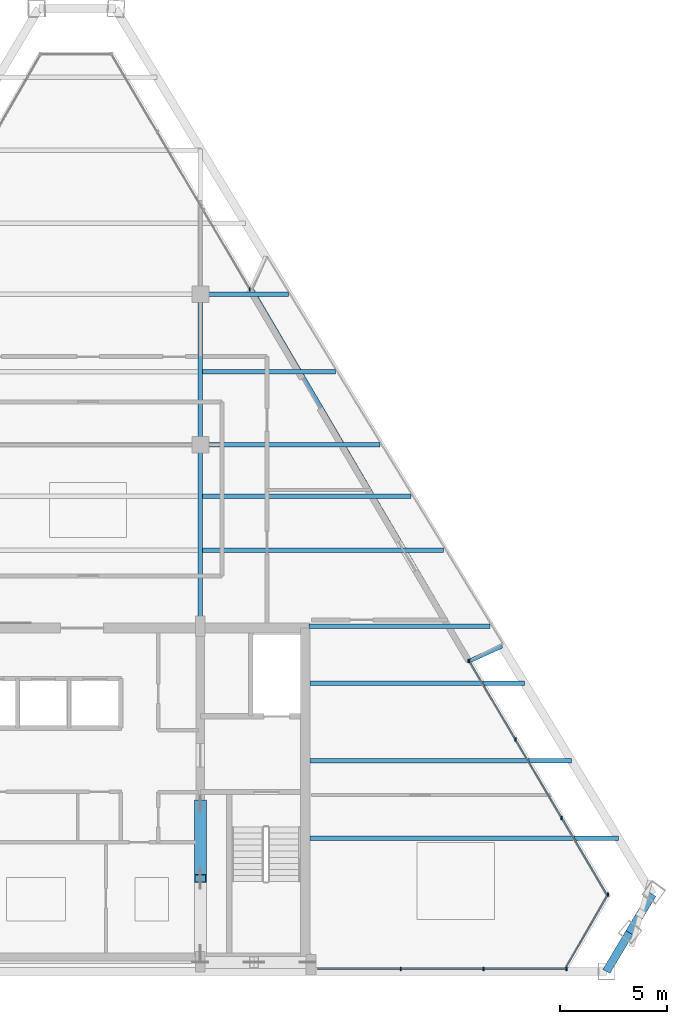
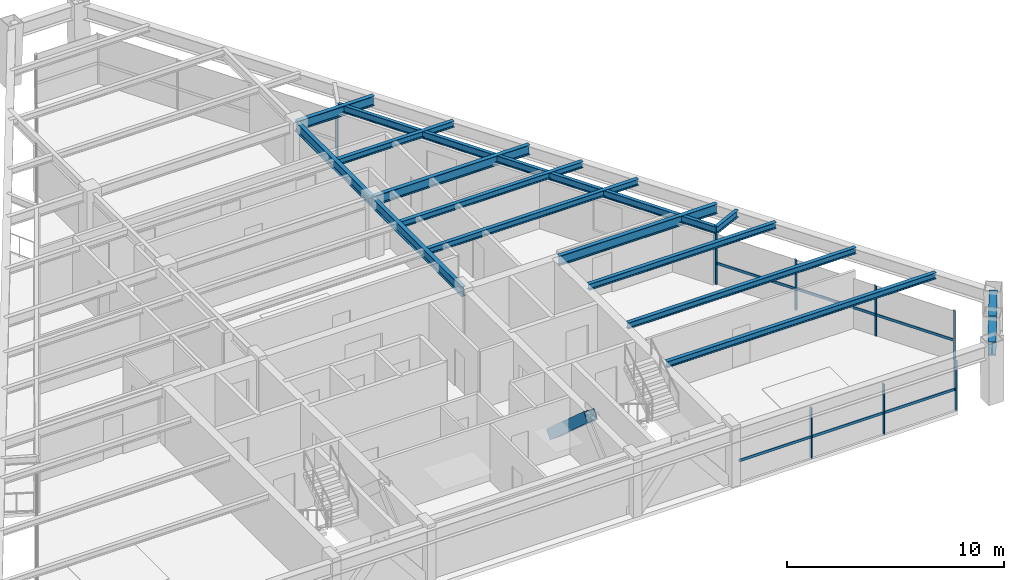
# One storey, part 5 of 13: 17 members, 15 beams, 4 elements without a shape of their own.
"""IFC4 building model written with IfcOpenShell, lengths in metres."""

from ifc_helpers import new_model, si_unit, direction, frame, origin, origin_2d, place, context, subcontext, project, spatial, rectangle, hollow_rectangle, i_section, extrude, source, transform, mapped, material, material_profile, profile_set, type_object, type_shapes, element, aggregate, save


model = new_model("IFC4")

# Units and contexts
model_context = context("Model", 3, precision=1e-05, world=origin(), true_north=direction((0.0, 1.0)))
body_context = subcontext(model_context, "Body", "Model", "MODEL_VIEW")
ifc_project = project(units=[si_unit("LENGTHUNIT", "METRE"), si_unit("AREAUNIT", "SQUARE_METRE"), si_unit("VOLUMEUNIT", "CUBIC_METRE"), si_unit("PLANEANGLEUNIT", "RADIAN"), si_unit("MASSUNIT", "GRAM", prefix="KILO")], contexts=[model_context])

# Site, building, storey
site_placement = place(None, origin())
site = spatial("IfcSite", under=ifc_project, at=site_placement, CompositionType="ELEMENT")
building_placement = place(site_placement, origin())
building = spatial("IfcBuilding", under=site, at=building_placement, Name="Varnakhor Terracotta Tower", CompositionType="ELEMENT")
storey_placement = place(building_placement, frame((0.0, 0.0, 279.89990234375)))
storey = spatial("IfcBuildingStorey", under=building, at=storey_placement, Name="L73", CompositionType="ELEMENT", Elevation=279.89990234375)

# Beams
ifc_material_1 = material(Name="Steel S355", Category="steel")
ifc_material_profile_1 = material_profile(ifc_material_1, i_section(OverallWidth=0.214111328125, OverallDepth=0.549072265625, WebThickness=0.014892578125, FlangeThickness=0.02392578125, FilletRadius=0.01806640625, at=origin_2d()), Name="W21X93")
ifc_profile_set_1 = profile_set([ifc_material_profile_1], Name="Steel S355")
beam_type_1 = type_object("IfcBeamType", Name="BM-W21X93", PredefinedType="BEAM", material=ifc_profile_set_1)
shared_shape_1 = source(origin(), body_context, "Body", "SweptSolid", [
    extrude(i_section(OverallWidth=0.214111328125, OverallDepth=0.549072265625, WebThickness=0.014892578125, FlangeThickness=0.02392578125, FilletRadius=0.01806640625, at=origin_2d()), origin(), (0.0, 0.0, 1.0), 8.449951171875),
])
type_shapes(beam_type_1, [shared_shape_1])
beam_1_placement = place(storey_placement, frame((5.5, 16.050048828125, 2.965576171875), z_axis=(0.0, 1.0, 0.0), x_axis=(-1.0, 0.0, 0.0)))
element("IfcBeam", 1, at=beam_1_placement, inside=storey, type_object=beam_type_1, Name="L73 Primary Girder NS1-E", PredefinedType="BEAM", context=body_context, shape_type="MappedRepresentation", body=[
    mapped(shared_shape_1, transform((0.0, 0.0, 0.0), scale=1.0)),
])
shared_shape_2 = source(origin(), body_context, "Body", "SweptSolid", [
    extrude(i_section(OverallWidth=0.214111328125, OverallDepth=0.549072265625, WebThickness=0.014892578125, FlangeThickness=0.02392578125, FilletRadius=0.01806640625, at=origin_2d()), origin(), (0.0, 0.0, 1.0), 7.0),
])
beam_2_placement = place(storey_placement, frame((5.5, 24.5, 2.965576171875), z_axis=(0.0, 1.0, 0.0), x_axis=(-1.0, 0.0, 0.0)))
element("IfcBeam", 2, at=beam_2_placement, inside=storey, type_object=beam_type_1, Name="L73 Primary Girder NS2-E", PredefinedType="BEAM", context=body_context, shape_type="MappedRepresentation", body=[
    mapped(shared_shape_2, transform((0.0, 0.0, 0.0), scale=1.0)),
])

# Member
ifc_material_profile_2 = material_profile(ifc_material_1, hollow_rectangle(XDim=0.550048828125, YDim=0.550048828125, WallThickness=0.034912109375, at=origin_2d()), Name="HSS550X550X35")
ifc_profile_set_2 = profile_set([ifc_material_profile_2], Name="Steel S355")
member_type_1 = type_object("IfcMemberType", Name="MBR-MEGA-550", PredefinedType="BRACE", material=ifc_profile_set_2)
shared_shape_3 = source(origin(), body_context, "Body", "SweptSolid", [
    extrude(hollow_rectangle(XDim=0.550048828125, YDim=0.550048828125, WallThickness=0.034912109375, at=origin_2d()), origin(), (0.0, 0.0, 1.0), 4.650146484375),
])
member_1_placement = place(storey_placement, frame((5.5, 7.800048828125, 0.0), z_axis=(0.0, -0.74729054724, 0.664497432655), x_axis=(1.0, 0.0, 0.0)))
element("IfcMember", 3, at=member_1_placement, inside=storey, type_object=member_type_1, Name="L73 Core Coupled Brace CWEB", PredefinedType="BRACE", context=body_context, shape_type="MappedRepresentation", body=[
    mapped(shared_shape_3, transform((0.0, 0.0, 0.0), scale=1.0)),
])

# Beams
ifc_material_profile_3 = material_profile(ifc_material_1, i_section(OverallWidth=0.381103515625, OverallDepth=0.77294921875, WebThickness=0.01708984375, FlangeThickness=0.027099609375, FilletRadius=0.01806640625, at=origin_2d()), Name="W30X173")
ifc_profile_set_3 = profile_set([ifc_material_profile_3], Name="Steel S355")
beam_type_2 = type_object("IfcBeamType", Name="BM-W30X173", PredefinedType="BEAM", material=ifc_profile_set_3)
shared_shape_4 = source(origin(), body_context, "Body", "SweptSolid", [
    extrude(i_section(OverallWidth=0.381103515625, OverallDepth=0.77294921875, WebThickness=0.01708984375, FlangeThickness=0.027099609375, FilletRadius=0.01806640625, at=origin_2d()), origin(), (0.0, 0.0, 1.0), 2.091064453125),
])
beam_3_placement = place(storey_placement, frame((24.388916015625, 0.0, 2.853515625), z_axis=(0.511986679874, 0.85899338742, 0.0), x_axis=(-0.85899338742, 0.511986679874, 0.0)))
element("IfcBeam", 4, at=beam_3_placement, inside=storey, type_object=beam_type_2, Name="L73 Perimeter Spandrel 2", PredefinedType="BEAM", context=body_context, shape_type="MappedRepresentation", body=[
    mapped(shared_shape_4, transform((0.0, 0.0, 0.0), scale=1.0)),
])
shared_shape_5 = source(origin(), body_context, "Body", "SweptSolid", [
    extrude(i_section(OverallWidth=0.381103515625, OverallDepth=0.77294921875, WebThickness=0.01708984375, FlangeThickness=0.027099609375, FilletRadius=0.01806640625, at=origin_2d()), origin(), (0.0, 0.0, 1.0), 2.09130859375),
])
beam_4_placement = place(storey_placement, frame((25.45947265625, 1.796142578125, 2.853515625), z_axis=(0.511935334452, 0.859023988803, 0.0), x_axis=(-0.859023988803, 0.511935334452, 0.0)))
element("IfcBeam", 5, at=beam_4_placement, inside=storey, type_object=beam_type_2, Name="L73 Perimeter Spandrel 3", PredefinedType="BEAM", context=body_context, shape_type="MappedRepresentation", body=[
    mapped(shared_shape_5, transform((0.0, 0.0, 0.0), scale=1.0)),
])
ifc_material_profile_4 = material_profile(ifc_material_1, i_section(OverallWidth=0.179931640625, OverallDepth=0.39990234375, WebThickness=0.008544921875, FlangeThickness=0.013427734375, FilletRadius=0.01806640625, at=origin_2d()), Name="IPE400")
ifc_profile_set_4 = profile_set([ifc_material_profile_4], Name="Steel S355")
beam_type_3 = type_object("IfcBeamType", Name="JST-IPE400", PredefinedType="JOIST", material=ifc_profile_set_4)
shared_shape_6 = source(origin(), body_context, "Body", "SweptSolid", [
    extrude(i_section(OverallWidth=0.179931640625, OverallDepth=0.39990234375, WebThickness=0.008544921875, FlangeThickness=0.013427734375, FilletRadius=0.01806640625, at=origin_2d()), origin(), (0.0, 0.0, 1.0), 20.071044921875),
])
beam_5_placement = place(storey_placement, frame((18.031005859375, 14.446533203125, 3.0400390625), z_axis=(-0.506123077616, 0.862461263075, 0.0), x_axis=(-0.862461263075, -0.506123077616, 0.0)))
element("IfcBeam", 6, at=beam_5_placement, inside=storey, type_object=beam_type_3, Name="L73 Loggia Edge Beam 1", PredefinedType="JOIST", context=body_context, shape_type="MappedRepresentation", body=[
    mapped(shared_shape_6, transform((0.0, 0.0, 0.0), scale=1.0)),
])
shared_shape_7 = source(origin(), body_context, "Body", "SweptSolid", [
    extrude(i_section(OverallWidth=0.214111328125, OverallDepth=0.549072265625, WebThickness=0.014892578125, FlangeThickness=0.02392578125, FilletRadius=0.01806640625, at=origin_2d()), origin(), (0.0, 0.0, 1.0), 8.424560546875),
])
beam_6_placement = place(storey_placement, frame((10.550048828125, 16.050048828125, 2.965576171875), z_axis=(1.0, 0.0, 0.0), x_axis=(0.0, 1.0, 0.0)))
element("IfcBeam", 7, at=beam_6_placement, inside=storey, type_object=beam_type_1, Name="L73 Wing Girder E", PredefinedType="BEAM", context=body_context, shape_type="MappedRepresentation", body=[
    mapped(shared_shape_7, transform((0.0, 0.0, 0.0), scale=1.0)),
])
shared_shape_8 = source(origin(), body_context, "Body", "SweptSolid", [
    extrude(i_section(OverallWidth=0.214111328125, OverallDepth=0.549072265625, WebThickness=0.014892578125, FlangeThickness=0.02392578125, FilletRadius=0.01806640625, at=origin_2d()), origin(), (0.0, 0.0, 1.0), 8.349609375),
])
beam_7_placement = place(storey_placement, frame((5.5, 24.5, 2.965576171875), z_axis=(1.0, 0.0, 0.0), x_axis=(0.0, 1.0, 0.0)))
element("IfcBeam", 8, at=beam_7_placement, inside=storey, type_object=beam_type_1, Name="L73 Primary Girder EW2-3", PredefinedType="BEAM", context=body_context, shape_type="MappedRepresentation", body=[
    mapped(shared_shape_8, transform((0.0, 0.0, 0.0), scale=1.0)),
])
shared_shape_9 = source(origin(), body_context, "Body", "SweptSolid", [
    extrude(i_section(OverallWidth=0.214111328125, OverallDepth=0.549072265625, WebThickness=0.014892578125, FlangeThickness=0.02392578125, FilletRadius=0.01806640625, at=origin_2d()), origin(), (0.0, 0.0, 1.0), 4.104248046875),
])
beam_8_placement = place(storey_placement, frame((5.5, 31.5, 2.965576171875), z_axis=(1.0, 0.0, 0.0), x_axis=(0.0, 1.0, 0.0)))
element("IfcBeam", 9, at=beam_8_placement, inside=storey, type_object=beam_type_1, Name="L73 Primary Girder EW3-3", PredefinedType="BEAM", context=body_context, shape_type="MappedRepresentation", body=[
    mapped(shared_shape_9, transform((0.0, 0.0, 0.0), scale=1.0)),
])
ifc_material_profile_5 = material_profile(ifc_material_1, i_section(OverallWidth=0.202880859375, OverallDepth=0.346923828125, WebThickness=0.0078125, FlangeThickness=0.013427734375, FilletRadius=0.01806640625, at=origin_2d()), Name="W14X43")
ifc_profile_set_5 = profile_set([ifc_material_profile_5], Name="Steel S355")
beam_type_4 = type_object("IfcBeamType", Name="JST-W14X43", PredefinedType="JOIST", material=ifc_profile_set_5)
shared_shape_10 = source(origin(), body_context, "Body", "SweptSolid", [
    extrude(i_section(OverallWidth=0.202880859375, OverallDepth=0.346923828125, WebThickness=0.0078125, FlangeThickness=0.013427734375, FilletRadius=0.01806640625, at=origin_2d()), origin(), (0.0, 0.0, 1.0), 14.348388671875),
])
beam_9_placement = place(storey_placement, frame((10.60009765625, 6.199951171875, 3.066650390625), z_axis=(1.0, 0.0, 0.0), x_axis=(0.0, 1.0, 0.0)))
element("IfcBeam", 10, at=beam_9_placement, inside=storey, type_object=beam_type_4, Name="L73 Floor Joist E1", PredefinedType="JOIST", context=body_context, shape_type="MappedRepresentation", body=[
    mapped(shared_shape_10, transform((0.0, 0.0, 0.0), scale=1.0)),
])
shared_shape_11 = source(origin(), body_context, "Body", "SweptSolid", [
    extrude(i_section(OverallWidth=0.202880859375, OverallDepth=0.346923828125, WebThickness=0.0078125, FlangeThickness=0.013427734375, FilletRadius=0.01806640625, at=origin_2d()), origin(), (0.0, 0.0, 1.0), 12.1650390625),
])
beam_10_placement = place(storey_placement, frame((10.60009765625, 9.800048828125, 3.066650390625), z_axis=(1.0, 0.0, 0.0), x_axis=(0.0, 1.0, 0.0)))
element("IfcBeam", 11, at=beam_10_placement, inside=storey, type_object=beam_type_4, Name="L73 Floor Joist E2", PredefinedType="JOIST", context=body_context, shape_type="MappedRepresentation", body=[
    mapped(shared_shape_11, transform((0.0, 0.0, 0.0), scale=1.0)),
])
shared_shape_12 = source(origin(), body_context, "Body", "SweptSolid", [
    extrude(i_section(OverallWidth=0.202880859375, OverallDepth=0.346923828125, WebThickness=0.0078125, FlangeThickness=0.013427734375, FilletRadius=0.01806640625, at=origin_2d()), origin(), (0.0, 0.0, 1.0), 9.981689453125),
])
beam_11_placement = place(storey_placement, frame((10.60009765625, 13.39990234375, 3.066650390625), z_axis=(1.0, 0.0, 0.0), x_axis=(0.0, 1.0, 0.0)))
element("IfcBeam", 12, at=beam_11_placement, inside=storey, type_object=beam_type_4, Name="L73 Floor Joist E3", PredefinedType="JOIST", context=body_context, shape_type="MappedRepresentation", body=[
    mapped(shared_shape_12, transform((0.0, 0.0, 0.0), scale=1.0)),
])
shared_shape_13 = source(origin(), body_context, "Body", "SweptSolid", [
    extrude(i_section(OverallWidth=0.202880859375, OverallDepth=0.346923828125, WebThickness=0.0078125, FlangeThickness=0.013427734375, FilletRadius=0.01806640625, at=origin_2d()), origin(), (0.0, 0.0, 1.0), 11.218505859375),
])
beam_12_placement = place(storey_placement, frame((5.60302734375, 19.60009765625, 3.066650390625), z_axis=(1.0, 0.0, 0.0), x_axis=(0.0, 1.0, 0.0)))
element("IfcBeam", 13, at=beam_12_placement, inside=storey, type_object=beam_type_4, Name="L73 Composite Floor Joist 4-3", PredefinedType="JOIST", context=body_context, shape_type="MappedRepresentation", body=[
    mapped(shared_shape_13, transform((0.0, 0.0, 0.0), scale=1.0)),
])
shared_shape_14 = source(origin(), body_context, "Body", "SweptSolid", [
    extrude(i_section(OverallWidth=0.202880859375, OverallDepth=0.346923828125, WebThickness=0.0078125, FlangeThickness=0.013427734375, FilletRadius=0.01806640625, at=origin_2d()), origin(), (0.0, 0.0, 1.0), 9.702392578125),
])
beam_13_placement = place(storey_placement, frame((5.60302734375, 22.10009765625, 3.066650390625), z_axis=(1.0, 0.0, 0.0), x_axis=(0.0, 1.0, 0.0)))
element("IfcBeam", 14, at=beam_13_placement, inside=storey, type_object=beam_type_4, Name="L73 Composite Floor Joist 5-3", PredefinedType="JOIST", context=body_context, shape_type="MappedRepresentation", body=[
    mapped(shared_shape_14, transform((0.0, 0.0, 0.0), scale=1.0)),
])
shared_shape_15 = source(origin(), body_context, "Body", "SweptSolid", [
    extrude(i_section(OverallWidth=0.202880859375, OverallDepth=0.346923828125, WebThickness=0.0078125, FlangeThickness=0.013427734375, FilletRadius=0.01806640625, at=origin_2d()), origin(), (0.0, 0.0, 1.0), 6.1845703125),
])
beam_14_placement = place(storey_placement, frame((5.60302734375, 27.89990234375, 3.066650390625), z_axis=(1.0, 0.0, 0.0), x_axis=(0.0, 1.0, 0.0)))
element("IfcBeam", 15, at=beam_14_placement, inside=storey, type_object=beam_type_4, Name="L73 Composite Floor Joist 6-3", PredefinedType="JOIST", context=body_context, shape_type="MappedRepresentation", body=[
    mapped(shared_shape_15, transform((0.0, 0.0, 0.0), scale=1.0)),
])

# Curtain wall, members
ifc_material_2 = material(Name="Anodised Aluminium Curtain Wall System", Category="aluminium")
curtain_wall_type = type_object("IfcCurtainWallType", Name="CW-SYS-HOTEL-LOGGIA", PredefinedType="NOTDEFINED", material=ifc_material_2)
curtain_wall_1_placement = place(storey_placement, origin())
curtain_wall_1 = element("IfcCurtainWall", 16, at=curtain_wall_1_placement, inside=storey, type_object=curtain_wall_type, Name="L73 E Facet Curtain Wall 2", PredefinedType="NOTDEFINED")
ifc_material_3 = material(Name="Anodised Aluminium 6063-T6", Category="aluminium")
ifc_material_profile_6 = material_profile(ifc_material_3, rectangle(XDim=0.06494140625, YDim=0.159912109375, at=origin_2d()), Name="ALU MULLION 65x160")
ifc_profile_set_6 = profile_set([ifc_material_profile_6], Name="Anodised Aluminium 6063-T6")
member_type_2 = type_object("IfcMemberType", Name="CWM-04", PredefinedType="MULLION", material=ifc_profile_set_6)
shared_shape_16 = source(origin(), body_context, "Body", "SweptSolid", [
    extrude(rectangle(XDim=0.06494140625, YDim=0.159912109375, at=origin_2d()), origin(), (0.0, 0.0, 1.0), 2.820068359375),
])
type_shapes(member_type_2, [shared_shape_16])
member_2_placement = place(storey_placement, frame((18.010009765625, 14.434326171875, 0.0), z_axis=(0.0, 0.0, 1.0), x_axis=(1.0, 0.0, 0.0)))
member_2 = element("IfcMember", 17, at=member_2_placement, type_object=member_type_2, Name="L73 E Facet Curtain Wall 2 Mullion 1", PredefinedType="MULLION", context=body_context, shape_type="MappedRepresentation", body=[
    mapped(shared_shape_16, transform((0.0, 0.0, 0.0), scale=1.0)),
])
member_3_placement = place(storey_placement, frame((20.15966796875, 10.7890625, 0.0), z_axis=(0.0, 0.0, 1.0), x_axis=(1.0, 0.0, 0.0)))
member_3 = element("IfcMember", 18, at=member_3_placement, type_object=member_type_2, Name="L73 E Facet Curtain Wall 2 Mullion 2", PredefinedType="MULLION", context=body_context, shape_type="MappedRepresentation", body=[
    mapped(shared_shape_16, transform((0.0, 0.0, 0.0), scale=1.0)),
])
member_4_placement = place(storey_placement, frame((22.30908203125, 7.143798828125, 0.0), z_axis=(0.0, 0.0, 1.0), x_axis=(1.0, 0.0, 0.0)))
member_4 = element("IfcMember", 19, at=member_4_placement, type_object=member_type_2, Name="L73 E Facet Curtain Wall 2 Mullion 3", PredefinedType="MULLION", context=body_context, shape_type="MappedRepresentation", body=[
    mapped(shared_shape_16, transform((0.0, 0.0, 0.0), scale=1.0)),
])

# Curtain wall, member
curtain_wall_2_placement = place(storey_placement, origin())
curtain_wall_2 = element("IfcCurtainWall", 20, at=curtain_wall_2_placement, inside=storey, type_object=curtain_wall_type, Name="L73 E Facet Curtain Wall 1", PredefinedType="NOTDEFINED")
member_5_placement = place(storey_placement, frame((7.79638671875, 31.716796875, 0.0), z_axis=(0.0, 0.0, 1.0), x_axis=(1.0, 0.0, 0.0)))
member_5 = element("IfcMember", 21, at=member_5_placement, type_object=member_type_2, Name="L73 E Loggia Jamb Closure Mullion 1", PredefinedType="MULLION", context=body_context, shape_type="MappedRepresentation", body=[
    mapped(shared_shape_16, transform((0.0, 0.0, 0.0), scale=1.0)),
])
aggregate(curtain_wall_2, [member_5])

# Member
member_6_placement = place(storey_placement, frame((17.977783203125, 14.4501953125, 0.0), z_axis=(0.0, 0.0, 1.0), x_axis=(1.0, 0.0, 0.0)))
member_6 = element("IfcMember", 22, at=member_6_placement, type_object=member_type_2, Name="L73 E Loggia Jamb Closure Mullion 2", PredefinedType="MULLION", context=body_context, shape_type="MappedRepresentation", body=[
    mapped(shared_shape_16, transform((0.0, 0.0, 0.0), scale=1.0)),
])

# Curtain wall, member
curtain_wall_3_placement = place(storey_placement, origin())
curtain_wall_3 = element("IfcCurtainWall", 23, at=curtain_wall_3_placement, inside=storey, type_object=curtain_wall_type, Name="L73 Facet Curtain Wall 4", PredefinedType="NOTDEFINED")
member_7_placement = place(storey_placement, frame((24.458251953125, 3.5673828125, 0.0), z_axis=(0.0, 0.0, 1.0), x_axis=(1.0, 0.0, 0.0)))
member_7 = element("IfcMember", 24, at=member_7_placement, type_object=member_type_2, Name="L73 Facet Curtain Wall 4 Mullion 1", PredefinedType="MULLION", context=body_context, shape_type="MappedRepresentation", body=[
    mapped(shared_shape_16, transform((0.0, 0.0, 0.0), scale=1.0)),
])

# Curtain wall, members
curtain_wall_4_placement = place(storey_placement, origin())
curtain_wall_4 = element("IfcCurtainWall", 25, at=curtain_wall_4_placement, inside=storey, type_object=curtain_wall_type, Name="L73 South Wing Curtain Wall SSE", PredefinedType="NOTDEFINED")
member_8_placement = place(storey_placement, frame((22.52978515625, 0.1201171875, 0.0), z_axis=(0.0, 0.0, 1.0), x_axis=(1.0, 0.0, 0.0)))
member_8 = element("IfcMember", 26, at=member_8_placement, type_object=member_type_2, Name="L73 South Wing Curtain Wall SSE Mullion 1", PredefinedType="MULLION", context=body_context, shape_type="MappedRepresentation", body=[
    mapped(shared_shape_16, transform((0.0, 0.0, 0.0), scale=1.0)),
])
member_9_placement = place(storey_placement, frame((18.676513671875, 0.1201171875, 0.0), z_axis=(0.0, 0.0, 1.0), x_axis=(1.0, 0.0, 0.0)))
member_9 = element("IfcMember", 27, at=member_9_placement, type_object=member_type_2, Name="L73 South Wing Curtain Wall SSE Mullion 2", PredefinedType="MULLION", context=body_context, shape_type="MappedRepresentation", body=[
    mapped(shared_shape_16, transform((0.0, 0.0, 0.0), scale=1.0)),
])
member_10_placement = place(storey_placement, frame((14.8232421875, 0.1201171875, 0.0), z_axis=(0.0, 0.0, 1.0), x_axis=(1.0, 0.0, 0.0)))
member_10 = element("IfcMember", 28, at=member_10_placement, type_object=member_type_2, Name="L73 South Wing Curtain Wall SSE Mullion 3", PredefinedType="MULLION", context=body_context, shape_type="MappedRepresentation", body=[
    mapped(shared_shape_16, transform((0.0, 0.0, 0.0), scale=1.0)),
])

# Member
ifc_material_profile_7 = material_profile(ifc_material_3, rectangle(XDim=0.06494140625, YDim=0.14501953125, at=origin_2d()), Name="ALU TRANSOM 65x145")
ifc_profile_set_7 = profile_set([ifc_material_profile_7], Name="Anodised Aluminium 6063-T6")
member_type_3 = type_object("IfcMemberType", Name="CWT-04", PredefinedType="USERDEFINED", material=ifc_profile_set_7)
shared_shape_17 = source(origin(), body_context, "Body", "SweptSolid", [
    extrude(rectangle(XDim=0.06494140625, YDim=0.14501953125, at=origin_2d()), origin(), (0.0, 0.0, 1.0), 4.231689453125),
])
member_11_placement = place(storey_placement, frame((20.15966796875, 10.7890625, 1.1845703125), z_axis=(0.507922457705, -0.861402796001, 0.0), x_axis=(0.861402796001, 0.507922457705, 0.0)))
member_11 = element("IfcMember", 29, at=member_11_placement, type_object=member_type_3, Name="L73 E Facet Curtain Wall 2 Transom 2", ObjectType="TRANSOM", PredefinedType="USERDEFINED", context=body_context, shape_type="MappedRepresentation", body=[
    mapped(shared_shape_17, transform((0.0, 0.0, 0.0), scale=1.0)),
])

shared_shape_18 = source(origin(), body_context, "Body", "SweptSolid", [
    extrude(rectangle(XDim=0.06494140625, YDim=0.14501953125, at=origin_2d()), origin(), (0.0, 0.0, 1.0), 4.23193359375),
])
member_12_placement = place(storey_placement, frame((18.010009765625, 14.434326171875, 1.1845703125), z_axis=(0.507965264316, -0.861377553834, 0.0), x_axis=(0.861377553834, 0.507965264316, 0.0)))
member_12 = element("IfcMember", 30, at=member_12_placement, type_object=member_type_3, Name="L73 E Facet Curtain Wall 2 Transom 1", ObjectType="TRANSOM", PredefinedType="USERDEFINED", context=body_context, shape_type="MappedRepresentation", body=[
    mapped(shared_shape_18, transform((0.0, 0.0, 0.0), scale=1.0)),
])

member_13_placement = place(storey_placement, frame((22.30908203125, 7.143798828125, 1.1845703125), z_axis=(0.507897216898, -0.861417678637, 0.0), x_axis=(0.861417678637, 0.507897216898, 0.0)))
member_13 = element("IfcMember", 31, at=member_13_placement, type_object=member_type_3, Name="L73 E Facet Curtain Wall 2 Transom 3", ObjectType="TRANSOM", PredefinedType="USERDEFINED", context=body_context, shape_type="MappedRepresentation", body=[
    mapped(shared_shape_18, transform((0.0, 0.0, 0.0), scale=1.0)),
])

aggregate(curtain_wall_1, [member_2, member_12, member_3, member_11, member_4, member_13, member_6])

shared_shape_19 = source(origin(), body_context, "Body", "SweptSolid", [
    extrude(rectangle(XDim=0.06494140625, YDim=0.14501953125, at=origin_2d()), origin(), (0.0, 0.0, 1.0), 4.018798828125),
])
member_14_placement = place(storey_placement, frame((24.458251953125, 3.5673828125, 1.1845703125), z_axis=(-0.499543632816, -0.866288727223, 0.0), x_axis=(0.866288727223, -0.499543632816, 0.0)))
member_14 = element("IfcMember", 32, at=member_14_placement, type_object=member_type_3, Name="L73 Facet Curtain Wall 4 Transom 1", ObjectType="TRANSOM", PredefinedType="USERDEFINED", context=body_context, shape_type="MappedRepresentation", body=[
    mapped(shared_shape_19, transform((0.0, 0.0, 0.0), scale=1.0)),
])

aggregate(curtain_wall_3, [member_7, member_14])

shared_shape_20 = source(origin(), body_context, "Body", "SweptSolid", [
    extrude(rectangle(XDim=0.06494140625, YDim=0.14501953125, at=origin_2d()), origin(), (0.0, 0.0, 1.0), 3.853271484375),
])
member_15_placement = place(storey_placement, frame((22.52978515625, 0.1201171875, 1.1845703125), z_axis=(-1.0, 0.0, 0.0), x_axis=(0.0, -1.0, 0.0)))
member_15 = element("IfcMember", 33, at=member_15_placement, type_object=member_type_3, Name="L73 South Wing Curtain Wall SSE Transom 1", ObjectType="TRANSOM", PredefinedType="USERDEFINED", context=body_context, shape_type="MappedRepresentation", body=[
    mapped(shared_shape_20, transform((0.0, 0.0, 0.0), scale=1.0)),
])

member_16_placement = place(storey_placement, frame((18.676513671875, 0.1201171875, 1.1845703125), z_axis=(-1.0, 0.0, 0.0), x_axis=(0.0, -1.0, 0.0)))
member_16 = element("IfcMember", 34, at=member_16_placement, type_object=member_type_3, Name="L73 South Wing Curtain Wall SSE Transom 2", ObjectType="TRANSOM", PredefinedType="USERDEFINED", context=body_context, shape_type="MappedRepresentation", body=[
    mapped(shared_shape_20, transform((0.0, 0.0, 0.0), scale=1.0)),
])

member_17_placement = place(storey_placement, frame((14.8232421875, 0.1201171875, 1.1845703125), z_axis=(-1.0, 0.0, 0.0), x_axis=(0.0, -1.0, 0.0)))
member_17 = element("IfcMember", 35, at=member_17_placement, type_object=member_type_3, Name="L73 South Wing Curtain Wall SSE Transom 3", ObjectType="TRANSOM", PredefinedType="USERDEFINED", context=body_context, shape_type="MappedRepresentation", body=[
    mapped(shared_shape_20, transform((0.0, 0.0, 0.0), scale=1.0)),
])

aggregate(curtain_wall_4, [member_8, member_15, member_9, member_16, member_10, member_17])

# Beam
shared_shape_21 = source(origin(), body_context, "Body", "SweptSolid", [
    extrude(i_section(OverallWidth=0.179931640625, OverallDepth=0.39990234375, WebThickness=0.008544921875, FlangeThickness=0.013427734375, FilletRadius=0.01806640625, at=origin_2d()), origin(), (0.0, 0.0, 1.0), 1.650146484375),
])
beam_15_placement = place(storey_placement, frame((18.031005859375, 14.446533203125, 3.0400390625), z_axis=(0.910821955817, 0.41279942442, 0.0), x_axis=(-0.41279942442, 0.910821955817, 0.0)))
element("IfcBeam", 36, at=beam_15_placement, inside=storey, type_object=beam_type_3, Name="L74 E Loggia Tie Beam 2", PredefinedType="JOIST", context=body_context, shape_type="MappedRepresentation", body=[
    mapped(shared_shape_21, transform((0.0, 0.0, 0.0), scale=1.0)),
])

save(model, "model.ifc")
